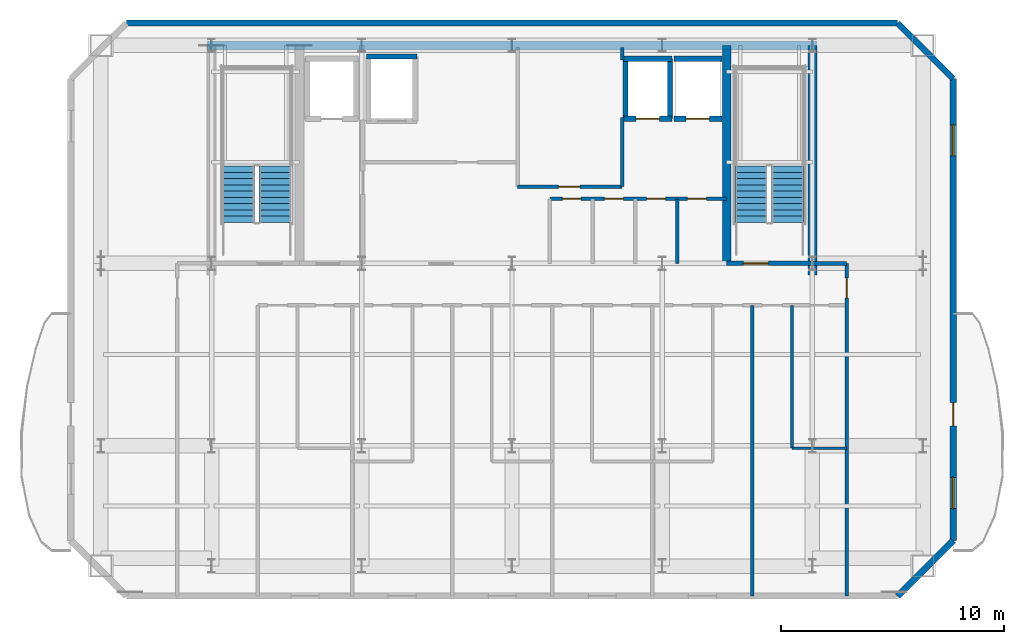
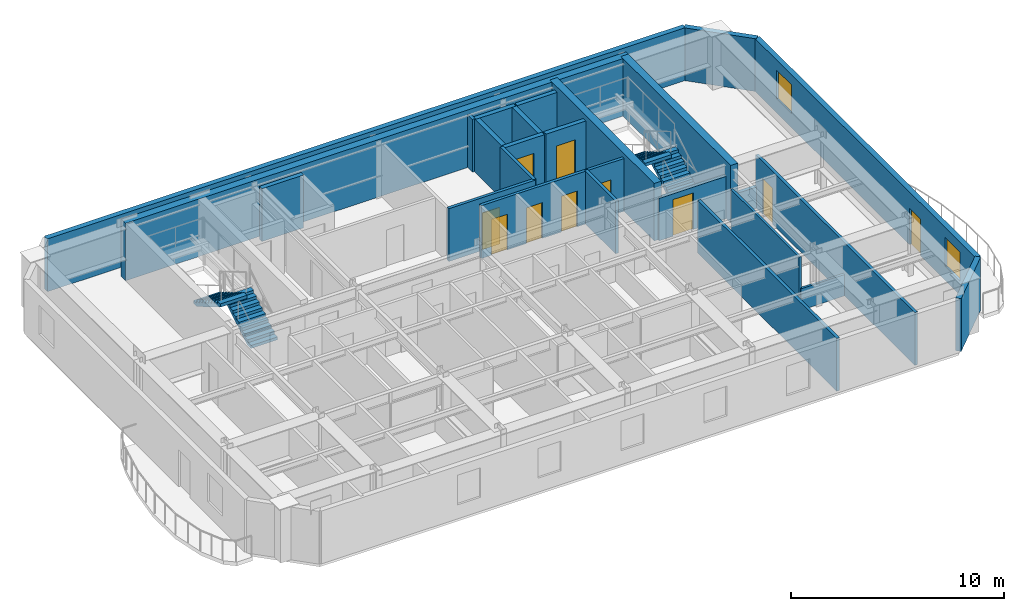
# One storey, part 4 of 6: 25 walls, 10 doors, 4 stair flights, 2 windows, 12 openings, 2 elements without a shape of their own.
"""IFC4 building model written with IfcOpenShell, lengths in metres."""

from ifc_helpers import new_model, si_unit, direction, frame, frame_2d, origin, place, context, subcontext, project, spatial, polyline, rectangle, outline, extrude, material, layer, layer_set, type_object, element, fill, aggregate, save


model = new_model("IFC4")

# Units and contexts
model_context = context("Model", 3, precision=1e-05, world=origin(), true_north=direction((0.0, 1.0)))
body_context = subcontext(model_context, "Body", "Model", "MODEL_VIEW")
ifc_project = project(units=[si_unit("LENGTHUNIT", "METRE"), si_unit("AREAUNIT", "SQUARE_METRE"), si_unit("VOLUMEUNIT", "CUBIC_METRE"), si_unit("PLANEANGLEUNIT", "RADIAN"), si_unit("MASSUNIT", "GRAM", prefix="KILO")], contexts=[model_context])

# Site, building, storey
site_placement = place(None, origin())
site = spatial("IfcSite", under=ifc_project, at=site_placement, CompositionType="ELEMENT")
building_placement = place(site_placement, origin())
building = spatial("IfcBuilding", under=site, at=building_placement, Name="Haevon Station Towers", CompositionType="ELEMENT")
storey_placement = place(building_placement, frame((0.0, 0.0, 255.89990234375)))
storey = spatial("IfcBuildingStorey", under=building, at=storey_placement, Name="L71", CompositionType="ELEMENT", Elevation=255.89990234375)

# Wall
ifc_material_1 = material(Name="Gypsum board on steel stud", Category="steel")
ifc_layer_1 = layer(ifc_material_1, 0.179931640625)
ifc_layer_set_1 = layer_set([ifc_layer_1], Name="Gypsum board on steel stud")
wall_type_1 = type_object("IfcWallType", Name="WL-ACU180", PredefinedType="PARTITIONING", material=ifc_layer_set_1)
wall_1_placement = place(storey_placement, frame((51.0, 38.199951171875, 0.0), z_axis=(0.0, 0.0, 1.0), x_axis=(1.0, 0.0, 0.0)))
element("IfcWall", 1, at=wall_1_placement, inside=storey, type_object=wall_type_1, Name="WL-T1PT-L71-03", PredefinedType="PARTITIONING", context=body_context, shape_type="SweptSolid", body=[
    extrude(rectangle(XDim=1.5380859375, YDim=0.179931640625, at=frame_2d((0.76904296875, 0.0))), origin(), (0.0, 0.0, 1.0), 1.22998046875),
])

# Wall, opening, door
ifc_layer_2 = layer(ifc_material_1, 0.199951171875)
ifc_layer_set_2 = layer_set([ifc_layer_2], Name="Gypsum board on steel stud")
wall_type_2 = type_object("IfcWallType", Name="WL-COR200", PredefinedType="PARTITIONING", material=ifc_layer_set_2)
wall_2_placement = place(storey_placement, frame((47.14990234375, 38.199951171875, 0.0), z_axis=(0.0, 0.0, 1.0), x_axis=(1.0, 0.0, 0.0)))
wall_2 = element("IfcWall", 2, at=wall_2_placement, inside=storey, type_object=wall_type_2, Name="WL-ST-ST2-L71", PredefinedType="PARTITIONING", context=body_context, shape_type="SweptSolid", body=[
    extrude(rectangle(XDim=3.85009765625, YDim=0.199951171875, at=frame_2d((1.925048828125, 0.0))), origin(), (0.0, 0.0, 1.0), 2.43017578125),
])
opening_1_placement = place(wall_2_placement, frame((0.75, 0.0, 0.0)))
opening_1 = element("IfcOpeningElement", 3, at=opening_1_placement, cuts=wall_2, Name="Opening DR-ST-ST2-L71", PredefinedType="OPENING", context=body_context, shape_type="SweptSolid", body=[
    extrude(rectangle(XDim=1.1201171875, YDim=2.10009765625, at=frame_2d((0.56005859375, 1.050048828125))), frame((0.0, 0.10986328125, 0.0), z_axis=(0.0, -1.0, 0.0), x_axis=(1.0, 0.0, 0.0)), (0.0, 0.0, 1.0), 0.219970703125),
])
ifc_material_2 = material(Name="Engineered oak timber", Category="wood")
door_type_1 = type_object("IfcDoorType", Name="DR-ST-1120", OperationType="NOTDEFINED", PredefinedType="DOOR", material=ifc_material_2)
door_1_placement = place(opening_1_placement, origin())
door_1 = element("IfcDoor", 4, at=door_1_placement, inside=storey, type_object=door_type_1, Name="L71 Escape Stair ST2 Fire Door", OperationType="SINGLE_SWING_RIGHT", OverallHeight=2.10009765625, OverallWidth=1.1201171875, PredefinedType="DOOR", context=body_context, shape_type="SweptSolid", body=[
    extrude(rectangle(XDim=1.1201171875, YDim=2.10009765625, at=frame_2d((0.56005859375, 1.050048828125))), frame((0.0, 0.02490234375, 0.0), z_axis=(0.0, -1.0, 0.0), x_axis=(1.0, 0.0, 0.0)), (0.0, 0.0, 1.0), 0.050048828125),
])
fill(opening_1, door_1)

# Walls
ifc_material_3 = material(Name="Concrete C60/75", Category="concrete")
ifc_layer_3 = layer(ifc_material_3, 0.39990234375)
ifc_layer_set_3 = layer_set([ifc_layer_3], Name="Concrete C60/75")
wall_type_3 = type_object("IfcWallType", Name="WL-CR400", PredefinedType="SHEAR", material=ifc_layer_set_3)
wall_3_placement = place(storey_placement, frame((23.800048828125, 48.0, 0.0), z_axis=(0.0, 0.0, 1.0), x_axis=(1.0, 0.0, 0.0)))
element("IfcWall", 5, at=wall_3_placement, inside=storey, type_object=wall_type_3, Name="WL-T1CR-L71-N", PredefinedType="SHEAR", context=body_context, shape_type="SweptSolid", body=[
    extrude(rectangle(XDim=27.39990234375, YDim=0.39990234375, at=frame_2d((13.699951171875, 0.0))), origin(), (0.0, 0.0, 1.0), 3.300048828125),
])
wall_4_placement = place(storey_placement, frame((51.0, 37.679931640625, 0.0), z_axis=(0.0, 0.0, 1.0), x_axis=(0.0, 1.0, 0.0)))
element("IfcWall", 6, at=wall_4_placement, inside=storey, type_object=wall_type_3, Name="WL-T1CR-L71-E", PredefinedType="SHEAR", context=body_context, shape_type="SweptSolid", body=[
    extrude(rectangle(XDim=10.320068359375, YDim=0.39990234375, at=frame_2d((5.16015625, 0.0))), origin(), (0.0, 0.0, 1.0), 3.300048828125),
])
wall_5_placement = place(storey_placement, frame((47.14990234375, 38.199951171875, 0.0), z_axis=(0.0, 0.0, 1.0), x_axis=(0.0, 1.0, 0.0)))
element("IfcWall", 7, at=wall_5_placement, inside=storey, type_object=wall_type_3, Name="WL-T1CR-L71-M2", PredefinedType="SHEAR", context=body_context, shape_type="SweptSolid", body=[
    extrude(rectangle(XDim=9.800048828125, YDim=0.39990234375, at=frame_2d((4.89990234375, 0.0))), origin(), (0.0, 0.0, 1.0), 3.300048828125),
])
ifc_material_4 = material(Name="Precast concrete C45/55", Category="concrete")
ifc_layer_4 = layer(ifc_material_4, 0.280029296875)
ifc_layer_set_4 = layer_set([ifc_layer_4], Name="Precast concrete C45/55")
wall_type_4 = type_object("IfcWallType", Name="WL-EXT-PIER280", PredefinedType="SOLIDWALL", material=ifc_layer_set_4)
wall_6_placement = place(storey_placement, frame((20.175048828125, 49.0, 0.0), z_axis=(0.0, 0.0, 1.0), x_axis=(1.0, 0.0, 0.0)))
element("IfcWall", 8, at=wall_6_placement, inside=storey, type_object=wall_type_4, Name="WL-T1-L71-N", PredefinedType="SOLIDWALL", context=body_context, shape_type="SweptSolid", body=[
    extrude(rectangle(XDim=34.64990234375, YDim=0.280029296875, at=frame_2d((17.324951171875, 0.0))), origin(), (0.0, 0.0, 1.0), 3.030029296875),
])
wall_7_placement = place(storey_placement, frame((54.824951171875, 49.0, 0.0), z_axis=(0.0, 0.0, 1.0), x_axis=(0.707106781187, -0.707106781187, 0.0)))
element("IfcWall", 9, at=wall_7_placement, inside=storey, type_object=wall_type_4, Name="WL-T1-L71-NEC", PredefinedType="SOLIDWALL", context=body_context, shape_type="SweptSolid", body=[
    extrude(rectangle(XDim=3.53564453125, YDim=0.280029296875, at=frame_2d((1.767822265625, 0.0))), origin(), (0.0, 0.0, 1.0), 3.030029296875),
])

# Wall, openings, door, windows
wall_8_placement = place(storey_placement, frame((57.324951171875, 46.5, 0.0), z_axis=(0.0, 0.0, 1.0), x_axis=(0.0, -1.0, 0.0)))
wall_8 = element("IfcWall", 10, at=wall_8_placement, inside=storey, type_object=wall_type_4, Name="WL-T1-L71-E", PredefinedType="SOLIDWALL", context=body_context, shape_type="SweptSolid", body=[
    extrude(rectangle(XDim=20.75, YDim=0.280029296875, at=frame_2d((10.375, 0.0))), origin(), (0.0, 0.0, 1.0), 3.030029296875),
])
opening_2_placement = place(wall_8_placement, frame((14.550048828125, 0.0, 0.0)))
opening_2 = element("IfcOpeningElement", 11, at=opening_2_placement, cuts=wall_8, Name="Opening DR-T1-SCAL-L71-E", PredefinedType="OPENING", context=body_context, shape_type="SweptSolid", body=[
    extrude(rectangle(XDim=1.050048828125, YDim=2.10009765625, at=frame_2d((0.52490234375, 1.050048828125))), frame((0.0, 0.14990234375, 0.0), z_axis=(0.0, -1.0, 0.0), x_axis=(1.0, 0.0, 0.0)), (0.0, 0.0, 1.0), 0.300048828125),
])
opening_3_placement = place(wall_8_placement, frame((2.06787109375, 0.0, 0.800048828125)))
opening_3 = element("IfcOpeningElement", 12, at=opening_3_placement, cuts=wall_8, Name="Opening WN-END140", PredefinedType="OPENING", context=body_context, shape_type="SweptSolid", body=[
    extrude(rectangle(XDim=1.39990234375, YDim=1.64990234375, at=frame_2d((0.699951171875, 0.824951171875))), frame((0.0, 0.14990234375, 0.0), z_axis=(0.0, -1.0, 0.0), x_axis=(1.0, 0.0, 0.0)), (0.0, 0.0, 1.0), 0.300048828125),
])
opening_4_placement = place(wall_8_placement, frame((17.916015625, 0.0, 0.800048828125)))
opening_4 = element("IfcOpeningElement", 13, at=opening_4_placement, cuts=wall_8, Name="Opening WN-END140", PredefinedType="OPENING", context=body_context, shape_type="SweptSolid", body=[
    extrude(rectangle(XDim=1.39990234375, YDim=1.64990234375, at=frame_2d((0.699951171875, 0.824951171875))), frame((0.0, 0.14990234375, 0.0), z_axis=(0.0, -1.0, 0.0), x_axis=(1.0, 0.0, 0.0)), (0.0, 0.0, 1.0), 0.300048828125),
])
ifc_material_5 = material(Name="Thermally broken anodised aluminium and laminated safety glass", Category="aluminium")
door_type_2 = type_object("IfcDoorType", Name="DR-BALC-1050", OperationType="NOTDEFINED", PredefinedType="DOOR", material=ifc_material_5)
door_2_placement = place(opening_2_placement, origin())
door_2 = element("IfcDoor", 14, at=door_2_placement, inside=storey, type_object=door_type_2, Name="Tower 1 L71 East Scalloped Balcony Door", OperationType="SINGLE_SWING_LEFT", OverallHeight=2.10009765625, OverallWidth=1.050048828125, PredefinedType="DOOR", context=body_context, shape_type="SweptSolid", body=[
    extrude(rectangle(XDim=1.050048828125, YDim=2.10009765625, at=frame_2d((0.52490234375, 1.050048828125))), frame((0.0, 0.02490234375, 0.0), z_axis=(0.0, -1.0, 0.0), x_axis=(1.0, 0.0, 0.0)), (0.0, 0.0, 1.0), 0.050048828125),
])
fill(opening_2, door_2)
ifc_material_6 = material(Name="Low-E triple glazing in thermally broken aluminium", Category="aluminium")
window_type = type_object("IfcWindowType", Name="WN-END140", PartitioningType="SINGLE_PANEL", PredefinedType="WINDOW", material=ifc_material_6)
window_1_placement = place(opening_3_placement, origin())
window_1 = element("IfcWindow", 15, at=window_1_placement, inside=storey, type_object=window_type, Name="WN-T1-L71-E01", OverallHeight=1.64990234375, OverallWidth=1.39990234375, PartitioningType="SINGLE_PANEL", PredefinedType="WINDOW", context=body_context, shape_type="SweptSolid", body=[
    extrude(rectangle(XDim=1.39990234375, YDim=1.64990234375, at=frame_2d((0.699951171875, 0.824951171875))), frame((0.0, 0.030029296875, 0.0), z_axis=(0.0, -1.0, 0.0), x_axis=(1.0, 0.0, 0.0)), (0.0, 0.0, 1.0), 0.06005859375),
])
fill(opening_3, window_1)
window_2_placement = place(opening_4_placement, origin())
window_2 = element("IfcWindow", 16, at=window_2_placement, inside=storey, type_object=window_type, Name="WN-T1-L71-E02", OverallHeight=1.64990234375, OverallWidth=1.39990234375, PartitioningType="SINGLE_PANEL", PredefinedType="WINDOW", context=body_context, shape_type="SweptSolid", body=[
    extrude(rectangle(XDim=1.39990234375, YDim=1.64990234375, at=frame_2d((0.699951171875, 0.824951171875))), frame((0.0, 0.030029296875, 0.0), z_axis=(0.0, -1.0, 0.0), x_axis=(1.0, 0.0, 0.0)), (0.0, 0.0, 1.0), 0.06005859375),
])
fill(opening_4, window_2)

# Walls
wall_9_placement = place(storey_placement, frame((57.324951171875, 25.75, 0.0), z_axis=(0.0, 0.0, 1.0), x_axis=(-0.707106781187, -0.707106781187, 0.0)))
element("IfcWall", 17, at=wall_9_placement, inside=storey, type_object=wall_type_4, Name="WL-T1-L71-SEC", PredefinedType="SOLIDWALL", context=body_context, shape_type="SweptSolid", body=[
    extrude(rectangle(XDim=3.53564453125, YDim=0.280029296875, at=frame_2d((1.767822265625, 0.0))), origin(), (0.0, 0.0, 1.0), 3.030029296875),
])
ifc_layer_5 = layer(ifc_material_1, 0.125)
ifc_layer_set_5 = layer_set([ifc_layer_5], Name="Gypsum board on steel stud")
wall_type_5 = type_object("IfcWallType", Name="WL-PRT125", PredefinedType="PARTITIONING", material=ifc_layer_set_5)
wall_10_placement = place(storey_placement, frame((50.084716796875, 29.8974609375, 0.0), z_axis=(0.0, 0.0, 1.0), x_axis=(1.0, 0.0, 0.0)))
element("IfcWall", 18, at=wall_10_placement, inside=storey, type_object=wall_type_5, Name="WL-T1PT-L71-21", PredefinedType="PARTITIONING", context=body_context, shape_type="SweptSolid", body=[
    extrude(rectangle(XDim=2.453369140625, YDim=0.125, at=frame_2d((1.2265625, 0.0))), origin(), (0.0, 0.0, 1.0), 1.22998046875),
])
wall_11_placement = place(storey_placement, frame((50.084716796875, 29.8974609375, 0.0), z_axis=(0.0, 0.0, 1.0), x_axis=(0.0, 1.0, 0.0)))
element("IfcWall", 19, at=wall_11_placement, inside=storey, type_object=wall_type_5, Name="WL-T1PT-L71-22", PredefinedType="PARTITIONING", context=body_context, shape_type="SweptSolid", body=[
    extrude(rectangle(XDim=6.422607421875, YDim=0.125, at=frame_2d((3.21142578125, 0.0))), origin(), (0.0, 0.0, 1.0), 3.030029296875),
])

# Wall, opening, door
ifc_layer_6 = layer(ifc_material_1, 0.159912109375)
ifc_layer_set_6 = layer_set([ifc_layer_6], Name="Gypsum board on steel stud")
wall_type_6 = type_object("IfcWallType", Name="WL-PRT160", PredefinedType="PARTITIONING", material=ifc_layer_set_6)
wall_12_placement = place(storey_placement, frame((37.75, 41.64990234375, 0.0), z_axis=(0.0, 0.0, 1.0), x_axis=(1.0, 0.0, 0.0)))
wall_12 = element("IfcWall", 20, at=wall_12_placement, inside=storey, type_object=wall_type_6, Name="WL-T1CW-L71-03", PredefinedType="PARTITIONING", context=body_context, shape_type="SweptSolid", body=[
    extrude(rectangle(XDim=4.699951171875, YDim=0.159912109375, at=frame_2d((2.35009765625, 0.0))), origin(), (0.0, 0.0, 1.0), 3.030029296875),
])
opening_5_placement = place(wall_12_placement, frame((1.85009765625, 0.0, 0.0)))
opening_5 = element("IfcOpeningElement", 21, at=opening_5_placement, cuts=wall_12, Name="Opening DR-WL-T1CW-L71-03-1", PredefinedType="OPENING", context=body_context, shape_type="SweptSolid", body=[
    extrude(rectangle(XDim=0.949951171875, YDim=2.10009765625, at=frame_2d((0.47509765625, 1.050048828125))), frame((0.0, 0.08984375, 0.0), z_axis=(0.0, -1.0, 0.0), x_axis=(1.0, 0.0, 0.0)), (0.0, 0.0, 1.0), 0.179931640625),
])
door_type_3 = type_object("IfcDoorType", Name="DR-FD60-950", OperationType="NOTDEFINED", PredefinedType="DOOR", material=ifc_material_2)
door_3_placement = place(opening_5_placement, origin())
door_3 = element("IfcDoor", 22, at=door_3_placement, inside=storey, type_object=door_type_3, Name="L71 Tower 1 Core Room Door 3-1", OperationType="SINGLE_SWING_RIGHT", OverallHeight=2.10009765625, OverallWidth=0.949951171875, PredefinedType="DOOR", context=body_context, shape_type="SweptSolid", body=[
    extrude(rectangle(XDim=0.949951171875, YDim=2.10009765625, at=frame_2d((0.47509765625, 1.050048828125))), frame((0.0, 0.02490234375, 0.0), z_axis=(0.0, -1.0, 0.0), x_axis=(1.0, 0.0, 0.0)), (0.0, 0.0, 1.0), 0.050048828125),
])
fill(opening_5, door_3)

# Walls
wall_13_placement = place(storey_placement, frame((42.449951171875, 41.64990234375, 0.0), z_axis=(0.0, 0.0, 1.0), x_axis=(0.0, 1.0, 0.0)))
element("IfcWall", 23, at=wall_13_placement, inside=storey, type_object=wall_type_6, Name="WL-T1CW-L71-04", PredefinedType="PARTITIONING", context=body_context, shape_type="SweptSolid", body=[
    extrude(rectangle(XDim=3.10009765625, YDim=0.159912109375, at=frame_2d((1.550048828125, 0.0))), origin(), (0.0, 0.0, 1.0), 3.030029296875),
])
wall_14_placement = place(storey_placement, frame((42.449951171875, 47.35009765625, 0.0), z_axis=(0.0, 0.0, 1.0), x_axis=(0.0, 1.0, 0.0)))
element("IfcWall", 24, at=wall_14_placement, inside=storey, type_object=wall_type_6, Name="WL-T1CW-L71-05", PredefinedType="PARTITIONING", context=body_context, shape_type="SweptSolid", body=[
    extrude(rectangle(XDim=0.5498046875, YDim=0.159912109375, at=frame_2d((0.27490234375, 0.0))), origin(), (0.0, 0.0, 1.0), 3.030029296875),
])
wall_15_placement = place(storey_placement, frame((44.929931640625, 38.199951171875, 0.0), z_axis=(0.0, 0.0, 1.0), x_axis=(0.0, 1.0, 0.0)))
element("IfcWall", 25, at=wall_15_placement, inside=storey, type_object=wall_type_6, Name="WL-T1CW-L71-09", PredefinedType="PARTITIONING", context=body_context, shape_type="SweptSolid", body=[
    extrude(rectangle(XDim=2.900146484375, YDim=0.159912109375, at=frame_2d((1.4501953125, 0.0))), origin(), (0.0, 0.0, 1.0), 3.030029296875),
])

# Wall, openings, doors
wall_16_placement = place(storey_placement, frame((39.199951171875, 41.10009765625, 0.0), z_axis=(0.0, 0.0, 1.0), x_axis=(1.0, 0.0, 0.0)))
wall_16 = element("IfcWall", 26, at=wall_16_placement, inside=storey, type_object=wall_type_6, Name="WL-T1CW-L71-10", PredefinedType="PARTITIONING", context=body_context, shape_type="SweptSolid", body=[
    extrude(rectangle(XDim=7.949951171875, YDim=0.159912109375, at=frame_2d((3.97509765625, 0.0))), origin(), (0.0, 0.0, 1.0), 3.030029296875),
])
opening_6_placement = place(wall_16_placement, frame((0.56005859375, 0.0, 0.0)))
opening_6 = element("IfcOpeningElement", 27, at=opening_6_placement, cuts=wall_16, Name="Opening DR-WL-T1CW-L71-10-1", PredefinedType="OPENING", context=body_context, shape_type="SweptSolid", body=[
    extrude(rectangle(XDim=0.85009765625, YDim=2.050048828125, at=frame_2d((0.425048828125, 1.02490234375))), frame((0.0, 0.08984375, 0.0), z_axis=(0.0, -1.0, 0.0), x_axis=(1.0, 0.0, 0.0)), (0.0, 0.0, 1.0), 0.179931640625),
])
opening_7_placement = place(wall_16_placement, frame((2.455078125, 0.0, 0.0)))
opening_7 = element("IfcOpeningElement", 28, at=opening_7_placement, cuts=wall_16, Name="Opening DR-WL-T1CW-L71-10-2", PredefinedType="OPENING", context=body_context, shape_type="SweptSolid", body=[
    extrude(rectangle(XDim=0.85009765625, YDim=2.050048828125, at=frame_2d((0.425048828125, 1.02490234375))), frame((0.0, 0.08984375, 0.0), z_axis=(0.0, -1.0, 0.0), x_axis=(1.0, 0.0, 0.0)), (0.0, 0.0, 1.0), 0.179931640625),
])
opening_8_placement = place(wall_16_placement, frame((4.35498046875, 0.0, 0.0)))
opening_8 = element("IfcOpeningElement", 29, at=opening_8_placement, cuts=wall_16, Name="Opening DR-WL-T1CW-L71-10-3", PredefinedType="OPENING", context=body_context, shape_type="SweptSolid", body=[
    extrude(rectangle(XDim=0.85009765625, YDim=2.050048828125, at=frame_2d((0.425048828125, 1.02490234375))), frame((0.0, 0.08984375, 0.0), z_axis=(0.0, -1.0, 0.0), x_axis=(1.0, 0.0, 0.0)), (0.0, 0.0, 1.0), 0.179931640625),
])
opening_9_placement = place(wall_16_placement, frame((6.179931640625, 0.0, 0.0)))
opening_9 = element("IfcOpeningElement", 30, at=opening_9_placement, cuts=wall_16, Name="Opening DR-WL-T1CW-L71-10-4", PredefinedType="OPENING", context=body_context, shape_type="SweptSolid", body=[
    extrude(rectangle(XDim=0.85009765625, YDim=2.050048828125, at=frame_2d((0.425048828125, 1.02490234375))), frame((0.0, 0.08984375, 0.0), z_axis=(0.0, -1.0, 0.0), x_axis=(1.0, 0.0, 0.0)), (0.0, 0.0, 1.0), 0.179931640625),
])
door_type_4 = type_object("IfcDoorType", Name="DR-FD30-850", OperationType="NOTDEFINED", PredefinedType="DOOR", material=ifc_material_2)
door_4_placement = place(opening_6_placement, origin())
door_4 = element("IfcDoor", 31, at=door_4_placement, inside=storey, type_object=door_type_4, Name="L71 Tower 1 Core Room Door 10-1", OperationType="SINGLE_SWING_LEFT", OverallHeight=2.050048828125, OverallWidth=0.85009765625, PredefinedType="DOOR", context=body_context, shape_type="SweptSolid", body=[
    extrude(rectangle(XDim=0.85009765625, YDim=2.050048828125, at=frame_2d((0.425048828125, 1.02490234375))), frame((0.0, 0.02490234375, 0.0), z_axis=(0.0, -1.0, 0.0), x_axis=(1.0, 0.0, 0.0)), (0.0, 0.0, 1.0), 0.050048828125),
])
fill(opening_6, door_4)
door_5_placement = place(opening_7_placement, origin())
door_5 = element("IfcDoor", 32, at=door_5_placement, inside=storey, type_object=door_type_4, Name="L71 Tower 1 Core Room Door 10-2", OperationType="SINGLE_SWING_RIGHT", OverallHeight=2.050048828125, OverallWidth=0.85009765625, PredefinedType="DOOR", context=body_context, shape_type="SweptSolid", body=[
    extrude(rectangle(XDim=0.85009765625, YDim=2.050048828125, at=frame_2d((0.425048828125, 1.02490234375))), frame((0.0, 0.02490234375, 0.0), z_axis=(0.0, -1.0, 0.0), x_axis=(1.0, 0.0, 0.0)), (0.0, 0.0, 1.0), 0.050048828125),
])
fill(opening_7, door_5)
door_6_placement = place(opening_8_placement, origin())
door_6 = element("IfcDoor", 33, at=door_6_placement, inside=storey, type_object=door_type_4, Name="L71 Tower 1 Core Room Door 10-3", OperationType="SINGLE_SWING_LEFT", OverallHeight=2.050048828125, OverallWidth=0.85009765625, PredefinedType="DOOR", context=body_context, shape_type="SweptSolid", body=[
    extrude(rectangle(XDim=0.85009765625, YDim=2.050048828125, at=frame_2d((0.425048828125, 1.02490234375))), frame((0.0, 0.02490234375, 0.0), z_axis=(0.0, -1.0, 0.0), x_axis=(1.0, 0.0, 0.0)), (0.0, 0.0, 1.0), 0.050048828125),
])
fill(opening_8, door_6)
door_7_placement = place(opening_9_placement, origin())
door_7 = element("IfcDoor", 34, at=door_7_placement, inside=storey, type_object=door_type_4, Name="L71 Tower 1 Core Room Door 10-4", OperationType="SINGLE_SWING_RIGHT", OverallHeight=2.050048828125, OverallWidth=0.85009765625, PredefinedType="DOOR", context=body_context, shape_type="SweptSolid", body=[
    extrude(rectangle(XDim=0.85009765625, YDim=2.050048828125, at=frame_2d((0.425048828125, 1.02490234375))), frame((0.0, 0.02490234375, 0.0), z_axis=(0.0, -1.0, 0.0), x_axis=(1.0, 0.0, 0.0)), (0.0, 0.0, 1.0), 0.050048828125),
])
fill(opening_9, door_7)

# Wall, opening, door
wall_17_placement = place(storey_placement, frame((52.5380859375, 23.25, 0.0), z_axis=(0.0, 0.0, 1.0), x_axis=(0.0, 1.0, 0.0)))
wall_17 = element("IfcWall", 35, at=wall_17_placement, inside=storey, type_object=wall_type_6, Name="WL-T1PT-L71-05", PredefinedType="PARTITIONING", context=body_context, shape_type="SweptSolid", body=[
    extrude(rectangle(XDim=14.949951171875, YDim=0.159912109375, at=frame_2d((7.47509765625, 0.0))), origin(), (0.0, 0.0, 1.0), 3.030029296875),
])
opening_10_placement = place(wall_17_placement, frame((13.389892578125, 0.0, 0.0)))
opening_10 = element("IfcOpeningElement", 36, at=opening_10_placement, cuts=wall_17, Name="Opening DR-WL-T1PT-L71-05-01", PredefinedType="OPENING", context=body_context, shape_type="SweptSolid", body=[
    extrude(rectangle(XDim=0.89990234375, YDim=2.050048828125, at=frame_2d((0.449951171875, 1.02490234375))), frame((0.0, 0.08984375, 0.0), z_axis=(0.0, -1.0, 0.0), x_axis=(1.0, 0.0, 0.0)), (0.0, 0.0, 1.0), 0.179931640625),
])
door_type_5 = type_object("IfcDoorType", Name="DR-INT-900", OperationType="NOTDEFINED", PredefinedType="DOOR", material=ifc_material_2)
door_8_placement = place(opening_10_placement, origin())
door_8 = element("IfcDoor", 37, at=door_8_placement, inside=storey, type_object=door_type_5, Name="L71 Tower 1 Room Door 5-1", OperationType="SINGLE_SWING_RIGHT", OverallHeight=2.050048828125, OverallWidth=0.89990234375, PredefinedType="DOOR", context=body_context, shape_type="SweptSolid", body=[
    extrude(rectangle(XDim=0.89990234375, YDim=2.050048828125, at=frame_2d((0.449951171875, 1.02490234375))), frame((0.0, 0.02490234375, 0.0), z_axis=(0.0, -1.0, 0.0), x_axis=(1.0, 0.0, 0.0)), (0.0, 0.0, 1.0), 0.050048828125),
])
fill(opening_10, door_8)

# Walls
wall_18_placement = place(storey_placement, frame((48.3046875, 23.25, 0.0), z_axis=(0.0, 0.0, 1.0), x_axis=(0.0, 1.0, 0.0)))
element("IfcWall", 38, at=wall_18_placement, inside=storey, type_object=wall_type_6, Name="WL-T1PT-L71-20", PredefinedType="PARTITIONING", context=body_context, shape_type="SweptSolid", body=[
    extrude(rectangle(XDim=13.070068359375, YDim=0.159912109375, at=frame_2d((6.53515625, 0.0))), origin(), (0.0, 0.0, 1.0), 3.030029296875),
])
ifc_material_7 = material(Name="Concrete C40/50", Category="concrete")
ifc_layer_7 = layer(ifc_material_7, 0.239990234375)
ifc_layer_set_7 = layer_set([ifc_layer_7], Name="Concrete C40/50")
wall_type_7 = type_object("IfcWallType", Name="WL-SHF240", PredefinedType="PARTITIONING", material=ifc_layer_set_7)
wall_19_placement = place(storey_placement, frame((30.969970703125, 47.5, 0.0), z_axis=(0.0, 0.0, 1.0), x_axis=(1.0, 0.0, 0.0)))
element("IfcWall", 39, at=wall_19_placement, inside=storey, type_object=wall_type_7, Name="WL-SHF-SL1-L71-N", PredefinedType="PARTITIONING", context=body_context, shape_type="SweptSolid", body=[
    extrude(rectangle(XDim=2.260009765625, YDim=0.239990234375, at=frame_2d((1.1298828125, 0.0))), origin(), (0.0, 0.0, 1.0), 3.030029296875),
])

# Wall, opening, door
wall_20_placement = place(storey_placement, frame((42.52001953125, 44.699951171875, 0.0), z_axis=(0.0, 0.0, 1.0), x_axis=(1.0, 0.0, 0.0)))
wall_20 = element("IfcWall", 40, at=wall_20_placement, inside=storey, type_object=wall_type_7, Name="WL-SHF-PL5-L71", PredefinedType="PARTITIONING", context=body_context, shape_type="SweptSolid", body=[
    extrude(rectangle(XDim=2.159912109375, YDim=0.239990234375, at=frame_2d((1.080078125, 0.0))), origin(), (0.0, 0.0, 1.0), 3.030029296875),
])
opening_11_placement = place(wall_20_placement, frame((0.554931640625, 0.0, 0.0)))
opening_11 = element("IfcOpeningElement", 41, at=opening_11_placement, cuts=wall_20, Name="Opening LD-PL5-L71", PredefinedType="OPENING", context=body_context, shape_type="SweptSolid", body=[
    extrude(rectangle(XDim=1.050048828125, YDim=2.14990234375, at=frame_2d((0.52490234375, 1.074951171875))), frame((0.0, 0.1298828125, 0.0), z_axis=(0.0, -1.0, 0.0), x_axis=(1.0, 0.0, 0.0)), (0.0, 0.0, 1.0), 0.260009765625),
])
ifc_material_8 = material(Name="Stainless steel and rated core", Category="steel")
door_type_6 = type_object("IfcDoorType", Name="LD-PL1050", OperationType="SLIDING_TO_LEFT", PredefinedType="DOOR", material=ifc_material_8)
door_9_placement = place(opening_11_placement, origin())
door_9 = element("IfcDoor", 42, at=door_9_placement, inside=storey, type_object=door_type_6, Name="L71 Lift PL5 Sliding Landing Door", OperationType="SLIDING_TO_LEFT", OverallHeight=2.14990234375, OverallWidth=1.050048828125, PredefinedType="DOOR", context=body_context, shape_type="SweptSolid", body=[
    extrude(rectangle(XDim=1.050048828125, YDim=2.14990234375, at=frame_2d((0.52490234375, 1.074951171875))), frame((0.0, 0.02490234375, 0.0), z_axis=(0.0, -1.0, 0.0), x_axis=(1.0, 0.0, 0.0)), (0.0, 0.0, 1.0), 0.050048828125),
])
fill(opening_11, door_9)

# Walls
wall_21_placement = place(storey_placement, frame((42.52001953125, 47.39990234375, 0.0), z_axis=(0.0, 0.0, 1.0), x_axis=(1.0, 0.0, 0.0)))
element("IfcWall", 43, at=wall_21_placement, inside=storey, type_object=wall_type_7, Name="WL-SHF-PL5-L71-N", PredefinedType="PARTITIONING", context=body_context, shape_type="SweptSolid", body=[
    extrude(rectangle(XDim=2.159912109375, YDim=0.239990234375, at=frame_2d((1.080078125, 0.0))), origin(), (0.0, 0.0, 1.0), 3.030029296875),
])
for number, where, z_axis, x_axis, name in (
    (44, (42.60009765625, 44.699951171875, 0.0), (0.0, 0.0, 1.0), (0.0, 1.0, 0.0), "WL-SHF-PL5-L71-W"),
    (45, (44.60009765625, 44.699951171875, 0.0), (0.0, 0.0, 1.0), (0.0, 1.0, 0.0), "WL-SHF-PL5-L71-E"),
):
    element("IfcWall", number, at=place(storey_placement, frame(where, z_axis=z_axis, x_axis=x_axis)), inside=storey, type_object=wall_type_7, Name=name, PredefinedType="PARTITIONING", context=body_context, shape_type="SweptSolid", body=[
        extrude(rectangle(XDim=2.699951171875, YDim=0.239990234375, at=frame_2d((1.35009765625, 0.0))), origin(), (0.0, 0.0, 1.0), 3.030029296875),
    ])

# Wall, opening, door
wall_22_placement = place(storey_placement, frame((44.77001953125, 44.699951171875, 0.0), z_axis=(0.0, 0.0, 1.0), x_axis=(1.0, 0.0, 0.0)))
wall_22 = element("IfcWall", 46, at=wall_22_placement, inside=storey, type_object=wall_type_7, Name="WL-SHF-PL6-L71", PredefinedType="PARTITIONING", context=body_context, shape_type="SweptSolid", body=[
    extrude(rectangle(XDim=2.159912109375, YDim=0.239990234375, at=frame_2d((1.080078125, 0.0))), origin(), (0.0, 0.0, 1.0), 3.030029296875),
])
opening_12_placement = place(wall_22_placement, frame((0.554931640625, 0.0, 0.0)))
opening_12 = element("IfcOpeningElement", 47, at=opening_12_placement, cuts=wall_22, Name="Opening LD-PL6-L71", PredefinedType="OPENING", context=body_context, shape_type="SweptSolid", body=[
    extrude(rectangle(XDim=1.050048828125, YDim=2.14990234375, at=frame_2d((0.52490234375, 1.074951171875))), frame((0.0, 0.1298828125, 0.0), z_axis=(0.0, -1.0, 0.0), x_axis=(1.0, 0.0, 0.0)), (0.0, 0.0, 1.0), 0.260009765625),
])
door_10_placement = place(opening_12_placement, origin())
door_10 = element("IfcDoor", 48, at=door_10_placement, inside=storey, type_object=door_type_6, Name="L71 Lift PL6 Sliding Landing Door", OperationType="SLIDING_TO_LEFT", OverallHeight=2.14990234375, OverallWidth=1.050048828125, PredefinedType="DOOR", context=body_context, shape_type="SweptSolid", body=[
    extrude(rectangle(XDim=1.050048828125, YDim=2.14990234375, at=frame_2d((0.52490234375, 1.074951171875))), frame((0.0, 0.02490234375, 0.0), z_axis=(0.0, -1.0, 0.0), x_axis=(1.0, 0.0, 0.0)), (0.0, 0.0, 1.0), 0.050048828125),
])
fill(opening_12, door_10)

# Wall
wall_23_placement = place(storey_placement, frame((44.77001953125, 47.39990234375, 0.0), z_axis=(0.0, 0.0, 1.0), x_axis=(1.0, 0.0, 0.0)))
element("IfcWall", 49, at=wall_23_placement, inside=storey, type_object=wall_type_7, Name="WL-SHF-PL6-L71-N", PredefinedType="PARTITIONING", context=body_context, shape_type="SweptSolid", body=[
    extrude(rectangle(XDim=2.159912109375, YDim=0.239990234375, at=frame_2d((1.080078125, 0.0))), origin(), (0.0, 0.0, 1.0), 3.030029296875),
])

# Stair, stair flights
stair_type = type_object("IfcStairType", Name="STR-DL1450", PredefinedType="USERDEFINED", material=ifc_material_7)
stair_1_placement = place(storey_placement, origin())
stair_1 = element("IfcStair", 50, at=stair_1_placement, inside=storey, type_object=stair_type, Name="L71 Escape Stair ST1", ObjectType="TWO_RETURN_STAIR", PredefinedType="USERDEFINED")
stair_flight_type = type_object("IfcStairFlightType", Name="STF-ST1450", PredefinedType="STRAIGHT", material=ifc_material_7)
stair_flight_1_placement = place(storey_placement, frame((26.85498046875, 40.050048828125, 0.0), z_axis=(0.0, 0.0, 1.0), x_axis=(0.0, 1.0, 0.0)))
stair_flight_1 = element("IfcStairFlight", 51, at=stair_flight_1_placement, type_object=stair_flight_type, Name="L71 ST1 Flight 1", NumberOfRisers=10, NumberOfTreads=9, PredefinedType="STRAIGHT", RiserHeight=0.165, TreadLength=0.28, context=body_context, shape_type="SweptSolid", body=[
    extrude(outline(polyline([(0.0, 0.0), (0.0, 0.1650390625), (0.280029296875, 0.1650390625), (0.280029296875, 0.330078125), (0.56005859375, 0.330078125), (0.56005859375, 0.4951171875), (0.840087890625, 0.4951171875), (0.840087890625, 0.659912109375), (1.1201171875, 0.659912109375), (1.1201171875, 0.824951171875), (1.39990234375, 0.824951171875), (1.39990234375, 0.989990234375), (1.679931640625, 0.989990234375), (1.679931640625, 1.155029296875), (1.9599609375, 1.155029296875), (1.9599609375, 1.320068359375), (2.239990234375, 1.320068359375), (2.239990234375, 1.485107421875), (2.52001953125, 1.485107421875), (2.52001953125, 1.64990234375), (2.52001953125, 1.29931640625), (0.31494140625, 0.0), (0.0, 0.0)])), frame((0.0, 0.72509765625, 0.0), z_axis=(0.0, -1.0, 0.0), x_axis=(1.0, 0.0, 0.0)), (0.0, 0.0, 1.0), 1.449951171875),
])
stair_flight_2_placement = place(storey_placement, frame((25.205078125, 42.570068359375, 1.650146484375), z_axis=(0.0, 0.0, 1.0), x_axis=(0.0, -1.0, 0.0)))
stair_flight_2 = element("IfcStairFlight", 52, at=stair_flight_2_placement, type_object=stair_flight_type, Name="L71 ST1 Flight 2", NumberOfRisers=10, NumberOfTreads=9, PredefinedType="STRAIGHT", RiserHeight=0.165, TreadLength=0.28, context=body_context, shape_type="SweptSolid", body=[
    extrude(outline(polyline([(0.0, 0.0), (0.0, 0.1650390625), (0.280029296875, 0.1650390625), (0.280029296875, 0.330078125), (0.56005859375, 0.330078125), (0.56005859375, 0.4951171875), (0.840087890625, 0.4951171875), (0.840087890625, 0.659912109375), (1.1201171875, 0.659912109375), (1.1201171875, 0.824951171875), (1.39990234375, 0.824951171875), (1.39990234375, 0.989990234375), (1.679931640625, 0.989990234375), (1.679931640625, 1.155029296875), (1.9599609375, 1.155029296875), (1.9599609375, 1.320068359375), (2.239990234375, 1.320068359375), (2.239990234375, 1.485107421875), (2.52001953125, 1.485107421875), (2.52001953125, 1.64990234375), (2.52001953125, 1.29931640625), (0.31494140625, 0.0), (0.0, 0.0)])), frame((0.0, 0.72509765625, 0.0), z_axis=(0.0, -1.0, 0.0), x_axis=(1.0, 0.0, 0.0)), (0.0, 0.0, 1.0), 1.449951171875),
])
aggregate(stair_1, [stair_flight_1, stair_flight_2])

stair_2_placement = place(storey_placement, origin())
stair_2 = element("IfcStair", 53, at=stair_2_placement, inside=storey, type_object=stair_type, Name="L71 Escape Stair ST2", ObjectType="TWO_RETURN_STAIR", PredefinedType="USERDEFINED")
stair_flight_3_placement = place(storey_placement, frame((49.89501953125, 40.050048828125, 0.0), z_axis=(0.0, 0.0, 1.0), x_axis=(0.0, 1.0, 0.0)))
stair_flight_3 = element("IfcStairFlight", 54, at=stair_flight_3_placement, type_object=stair_flight_type, Name="L71 ST2 Flight 1", NumberOfRisers=10, NumberOfTreads=9, PredefinedType="STRAIGHT", RiserHeight=0.165, TreadLength=0.28, context=body_context, shape_type="SweptSolid", body=[
    extrude(outline(polyline([(0.0, 0.0), (0.0, 0.1650390625), (0.280029296875, 0.1650390625), (0.280029296875, 0.330078125), (0.56005859375, 0.330078125), (0.56005859375, 0.4951171875), (0.840087890625, 0.4951171875), (0.840087890625, 0.659912109375), (1.1201171875, 0.659912109375), (1.1201171875, 0.824951171875), (1.39990234375, 0.824951171875), (1.39990234375, 0.989990234375), (1.679931640625, 0.989990234375), (1.679931640625, 1.155029296875), (1.9599609375, 1.155029296875), (1.9599609375, 1.320068359375), (2.239990234375, 1.320068359375), (2.239990234375, 1.485107421875), (2.52001953125, 1.485107421875), (2.52001953125, 1.64990234375), (2.52001953125, 1.29931640625), (0.31494140625, 0.0), (0.0, 0.0)])), frame((0.0, 0.72509765625, 0.0), z_axis=(0.0, -1.0, 0.0), x_axis=(1.0, 0.0, 0.0)), (0.0, 0.0, 1.0), 1.449951171875),
])
stair_flight_4_placement = place(storey_placement, frame((48.2451171875, 42.570068359375, 1.650146484375), z_axis=(0.0, 0.0, 1.0), x_axis=(0.0, -1.0, 0.0)))
stair_flight_4 = element("IfcStairFlight", 55, at=stair_flight_4_placement, type_object=stair_flight_type, Name="L71 ST2 Flight 2", NumberOfRisers=10, NumberOfTreads=9, PredefinedType="STRAIGHT", RiserHeight=0.165, TreadLength=0.28, context=body_context, shape_type="SweptSolid", body=[
    extrude(outline(polyline([(0.0, 0.0), (0.0, 0.1650390625), (0.280029296875, 0.1650390625), (0.280029296875, 0.330078125), (0.56005859375, 0.330078125), (0.56005859375, 0.4951171875), (0.840087890625, 0.4951171875), (0.840087890625, 0.659912109375), (1.1201171875, 0.659912109375), (1.1201171875, 0.824951171875), (1.39990234375, 0.824951171875), (1.39990234375, 0.989990234375), (1.679931640625, 0.989990234375), (1.679931640625, 1.155029296875), (1.9599609375, 1.155029296875), (1.9599609375, 1.320068359375), (2.239990234375, 1.320068359375), (2.239990234375, 1.485107421875), (2.52001953125, 1.485107421875), (2.52001953125, 1.64990234375), (2.52001953125, 1.29931640625), (0.31494140625, 0.0), (0.0, 0.0)])), frame((0.0, 0.72509765625, 0.0), z_axis=(0.0, -1.0, 0.0), x_axis=(1.0, 0.0, 0.0)), (0.0, 0.0, 1.0), 1.449951171875),
])
aggregate(stair_2, [stair_flight_3, stair_flight_4])

save(model, "model.ifc")
